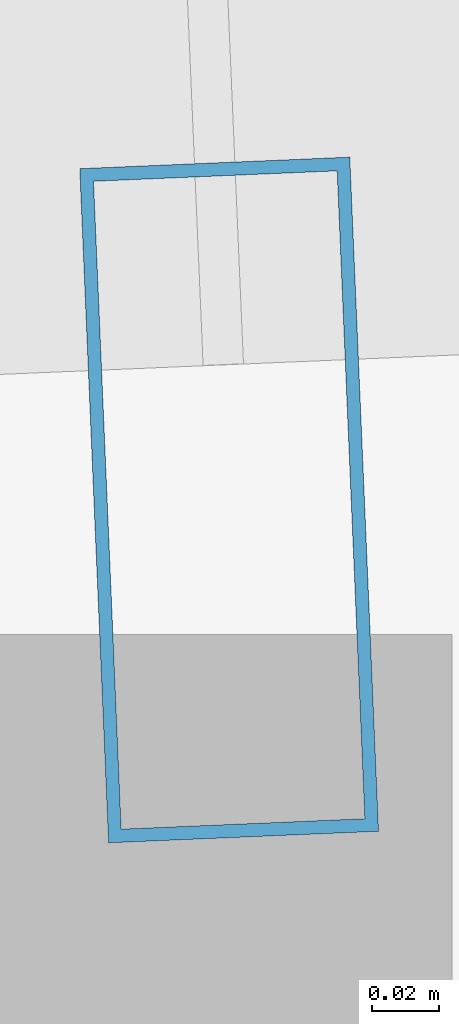
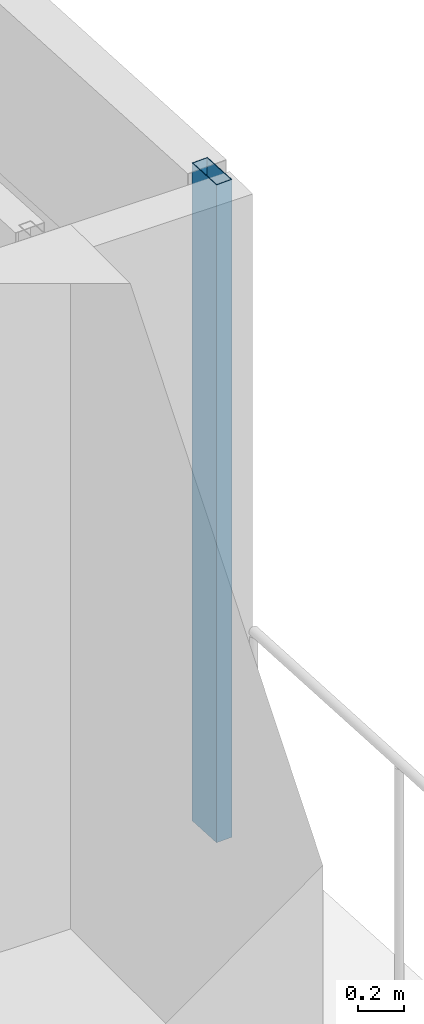
# One storey, part 27 of 42: 1 member, 1 element without a shape of its own.
"""IFC4 building model written with IfcOpenShell, lengths in metres."""

import ifcopenshell
import ifcopenshell.guid

model = None  # the IFC model being written
_history = None  # IfcOwnerHistory: only IFC2X3 demands one
_inside = {}  # id of a spatial element -> (the spatial element, [elements in it])
_under = {}  # id of a project, library or spatial element -> (it, [spatial elements below it])
_declared = {}  # id of a project -> (the project, [libraries it declares])
_typed = {}  # id of a type object -> (the type object, [elements of that type])
_made_of = {}  # id of a material, layer set ... -> (it, [elements and type objects made of it])


def new_model(schema):
    """Start an empty IFC model of exactly this schema.

    Asked for "IFC4X3", IfcOpenShell would pick the latest addendum, in which some entities
    have other attributes; the version numbers below select the first issue.
    IFC2X3 requires an IfcOwnerHistory on every rooted entity: one is made here for all.
    """
    global model, _history
    if schema == "IFC4X3":
        model = ifcopenshell.file(schema_version=(4, 3, 0, 0))
    else:
        model = ifcopenshell.file(schema=schema)
    _inside.clear()
    _under.clear()
    _declared.clear()
    _typed.clear()
    _made_of.clear()
    _history = None
    if model.schema == "IFC2X3":
        org = make("IfcOrganization", Name="unknown")
        user = make(
            "IfcPersonAndOrganization",
            ThePerson=make("IfcPerson", FamilyName="unknown"),
            TheOrganization=org,
        )
        app = make(
            "IfcApplication",
            ApplicationDeveloper=org,
            Version="unknown",
            ApplicationFullName="unknown",
            ApplicationIdentifier="unknown",
        )
        _history = make(
            "IfcOwnerHistory",
            OwningUser=user,
            OwningApplication=app,
            ChangeAction="ADDED",
            CreationDate=0,
        )
    return model


def make(cls, **values):
    """One entity of the class cls with the attributes given. An attribute that is None is left unset."""
    return model.create_entity(
        cls, **{name: value for name, value in values.items() if value is not None}
    )


def rooted(cls, **values):
    """An entity with a GlobalId (a new one), such as an element, a storey or a relation."""
    return make(cls, GlobalId=ifcopenshell.guid.new(), OwnerHistory=_history, **values)


def si_unit(unit_type, name, prefix=None):
    """IfcSIUnit, for example si_unit("LENGTHUNIT", "METRE", prefix="MILLI")."""
    return make("IfcSIUnit", UnitType=unit_type, Prefix=prefix, Name=name)


def assignment(units):
    """IfcUnitAssignment: the units of a project."""
    return None if units is None else make("IfcUnitAssignment", Units=units)


def point(xyz):
    """IfcCartesianPoint."""
    return None if xyz is None else make("IfcCartesianPoint", Coordinates=xyz)


def direction(xyz):
    """IfcDirection."""
    return None if xyz is None else make("IfcDirection", DirectionRatios=xyz)


def frame(location, z_axis=None, x_axis=None):
    """IfcAxis2Placement3D, a coordinate frame: its origin and axes. An axis left out is left unset."""
    return make(
        "IfcAxis2Placement3D",
        Location=point(location),
        Axis=direction(z_axis),
        RefDirection=direction(x_axis),
    )


def frame_2d(location, x_axis=None):
    """IfcAxis2Placement2D, a coordinate frame in the plane: its origin and x axis."""
    return make(
        "IfcAxis2Placement2D", Location=point(location), RefDirection=direction(x_axis)
    )


def origin():
    """The frame at (0, 0, 0) with its axes left unset."""
    return frame((0.0, 0.0, 0.0))


def origin_2d():
    """The frame at (0, 0) in the plane with its x axis left unset."""
    return frame_2d((0.0, 0.0))


def place(relative_to, where):
    """IfcLocalPlacement: puts the frame where relative to a parent placement (None: the world)."""
    return make(
        "IfcLocalPlacement", PlacementRelTo=relative_to, RelativePlacement=where
    )


def context(
    kind, dimensions, precision=None, world=None, true_north=None, identifier=None
):
    """IfcGeometricRepresentationContext, for example the 3D "Model" context."""
    return make(
        "IfcGeometricRepresentationContext",
        ContextIdentifier=identifier,
        ContextType=kind,
        CoordinateSpaceDimension=dimensions,
        Precision=precision,
        WorldCoordinateSystem=world,
        TrueNorth=true_north,
    )


def subcontext(parent, identifier, kind, view, scale=None):
    """IfcGeometricRepresentationSubContext, for example "Body" below "Model"."""
    return make(
        "IfcGeometricRepresentationSubContext",
        ContextIdentifier=identifier,
        ContextType=kind,
        ParentContext=parent,
        TargetScale=scale,
        TargetView=view,
    )


def project(units=None, contexts=None):
    """IfcProject with its units and contexts."""
    return rooted(
        "IfcProject",
        Name="project",
        RepresentationContexts=contexts,
        UnitsInContext=assignment(units),
    )


def spatial(cls, under=None, at=None, **own):
    """A site, building, storey or space (cls), placed at a placement, below another one or the project."""
    s = rooted(cls, ObjectPlacement=at, **own)
    if under is not None:
        _under.setdefault(under.id(), (under, []))[1].append(s)
    return s


def profile(cls, at=None, kind="AREA", **sizes):
    """A parametric profile (cls). Its sizes go by their IFC names, for example OverallWidth=200.0."""
    return make(cls, ProfileType=kind, Position=at, **sizes)


def hollow_rectangle(**sizes):
    """IfcRectangleHollowProfileDef."""
    return profile("IfcRectangleHollowProfileDef", **sizes)


def extrude(swept, where, along, depth):
    """IfcExtrudedAreaSolid: the profile swept, set in the frame where, extruded along a direction by depth."""
    return make(
        "IfcExtrudedAreaSolid",
        SweptArea=swept,
        Position=where,
        ExtrudedDirection=direction(along),
        Depth=depth,
    )


def shape(context_of_items, identifier, shape_type, items):
    """IfcShapeRepresentation: the items that make up one representation, for example the "Body"."""
    return make(
        "IfcShapeRepresentation",
        ContextOfItems=context_of_items,
        RepresentationIdentifier=identifier,
        RepresentationType=shape_type,
        Items=items,
    )


def material(Name=None, Category=None):
    """IfcMaterial."""
    return make("IfcMaterial", Name=Name, Category=Category)


def material_profile(
    of_material, cross_section, Name=None, Category=None, Priority=None
):
    """IfcMaterialProfile: a cross section and its material."""
    return make(
        "IfcMaterialProfile",
        Name=Name,
        Material=of_material,
        Profile=cross_section,
        Priority=Priority,
        Category=Category,
    )


def profile_set(profiles, Name=None, composite=None):
    """IfcMaterialProfileSet."""
    return make(
        "IfcMaterialProfileSet",
        Name=Name,
        MaterialProfiles=profiles,
        CompositeProfile=composite,
    )


def made_of(thing, what):
    """Note that an element or type object is made of a material, layer set ...; save() writes the relation."""
    if what is not None:
        _made_of.setdefault(what.id(), (what, []))[1].append(thing)
    return thing


def type_object(cls, material=None, **own):
    """A type object (cls), such as IfcWallType, which elements share."""
    return made_of(rooted(cls, **own), material)


def element(
    cls,
    number,
    at=None,
    inside=None,
    cuts=None,
    type_object=None,
    material=None,
    context=None,
    identifier="Body",
    shape_type=None,
    held_by="IfcProductDefinitionShape",
    body=None,
    shapes=None,
    **own,
):
    """One element of the class cls, such as IfcWall. Its Tag is "e" and its number.

    at: its placement. inside: the storey or other place that contains it. cuts: it is an
    opening in that element (IfcRelVoidsElement). A single representation is given by context,
    identifier, shape_type and body (its items); several are given by shapes. held_by: the class
    of the entity that holds the representations. save() writes the other relations.
    """
    e = rooted(cls, Tag="e%d" % number, ObjectPlacement=at, **own)
    if body is not None:
        shapes = [shape(context, identifier, shape_type, body)]
    if shapes is not None:
        e.Representation = make(held_by, Representations=shapes)
    if inside is not None:
        _inside.setdefault(inside.id(), (inside, []))[1].append(e)
    if cuts is not None:
        rooted(
            "IfcRelVoidsElement", RelatingBuildingElement=cuts, RelatedOpeningElement=e
        )
    if type_object is not None:
        _typed.setdefault(type_object.id(), (type_object, []))[1].append(e)
    return made_of(e, material)


def aggregate(whole, parts):
    """IfcRelAggregates: a whole, such as a stair, and the parts it consists of."""
    return rooted("IfcRelAggregates", RelatingObject=whole, RelatedObjects=parts)


def save(model, path):
    """Write the relations noted so far, then the file.

    IfcRelAggregates (storeys below a building ...), IfcRelContainedInSpatialStructure (elements
    in a storey), IfcRelDefinesByType, IfcRelAssociatesMaterial and IfcRelDeclares: one each for
    every whole, place, type object, material and project.
    """
    for whole, parts in _under.values():
        aggregate(whole, parts)
    for where, things in _inside.values():
        rooted(
            "IfcRelContainedInSpatialStructure",
            RelatedElements=things,
            RelatingStructure=where,
        )
    for kind, things in _typed.values():
        rooted("IfcRelDefinesByType", RelatedObjects=things, RelatingType=kind)
    for what, things in _made_of.values():
        rooted("IfcRelAssociatesMaterial", RelatedObjects=things, RelatingMaterial=what)
    for by, libraries in _declared.values():
        rooted("IfcRelDeclares", RelatingContext=by, RelatedDefinitions=libraries)
    model.write(path)


model = new_model("IFC4")

# Units and contexts
model_context = context("Model", 3, precision=1e-05, world=origin(), true_north=direction((0.0, 1.0)))
body_context = subcontext(model_context, "Body", "Model", "MODEL_VIEW")
ifc_project = project(units=[si_unit("LENGTHUNIT", "METRE"), si_unit("AREAUNIT", "SQUARE_METRE"), si_unit("VOLUMEUNIT", "CUBIC_METRE"), si_unit("PLANEANGLEUNIT", "RADIAN"), si_unit("MASSUNIT", "GRAM", prefix="KILO")], contexts=[model_context])

# Site, building, storey
site_placement = place(None, origin())
site = spatial("IfcSite", under=ifc_project, at=site_placement, CompositionType="ELEMENT")
building_placement = place(site_placement, origin())
building = spatial("IfcBuilding", under=site, at=building_placement, Name="Rekha Terrace Tower", CompositionType="ELEMENT")
storey_placement = place(building_placement, frame((0.0, 0.0, 70.39990234375)))
storey = spatial("IfcBuildingStorey", under=building, at=storey_placement, Name="L17", CompositionType="ELEMENT", Elevation=70.39990234375)

# Curtain wall, member
ifc_material_1 = material(Name="Aluminium framing", Category="aluminium")
curtain_wall_type = type_object("IfcCurtainWallType", Name="CW2 double skin outer glazing", PredefinedType="USERDEFINED", material=ifc_material_1)
curtain_wall_placement = place(storey_placement, origin())
curtain_wall = element("IfcCurtainWall", 1, at=curtain_wall_placement, inside=storey, type_object=curtain_wall_type, Name="CW2 double skin outer glazing", ObjectType="DOUBLE SKIN OUTER GLAZING", PredefinedType="USERDEFINED")
ifc_material_2 = material(Name="Aluminium mullion section", Category="aluminium")
ifc_material_profile = material_profile(ifc_material_2, hollow_rectangle(XDim=0.080078125, YDim=0.199951171875, WallThickness=0.00390625, at=origin_2d()), Name="AL RHS 80x200")
ifc_profile_set = profile_set([ifc_material_profile], Name="Aluminium mullion section")
member_type = type_object("IfcMemberType", Name="CW2 mullion RHS 80 x 200", PredefinedType="MULLION", material=ifc_profile_set)
member_placement = place(storey_placement, frame((69.2138671875, 51.849853515625, 0.0), z_axis=(0.0, 0.0, 1.0), x_axis=(-0.999088106903, -0.042696072956, 0.0)))
member = element("IfcMember", 2, at=member_placement, type_object=member_type, Name="CW2 mullion 1", PredefinedType="MULLION", context=body_context, shape_type="SweptSolid", body=[
    extrude(hollow_rectangle(XDim=0.080078125, YDim=0.199951171875, WallThickness=0.00390625, at=origin_2d()), origin(), (0.0, 0.0, 1.0), 3.5),
])
aggregate(curtain_wall, [member])

save(model, "model.ifc")
